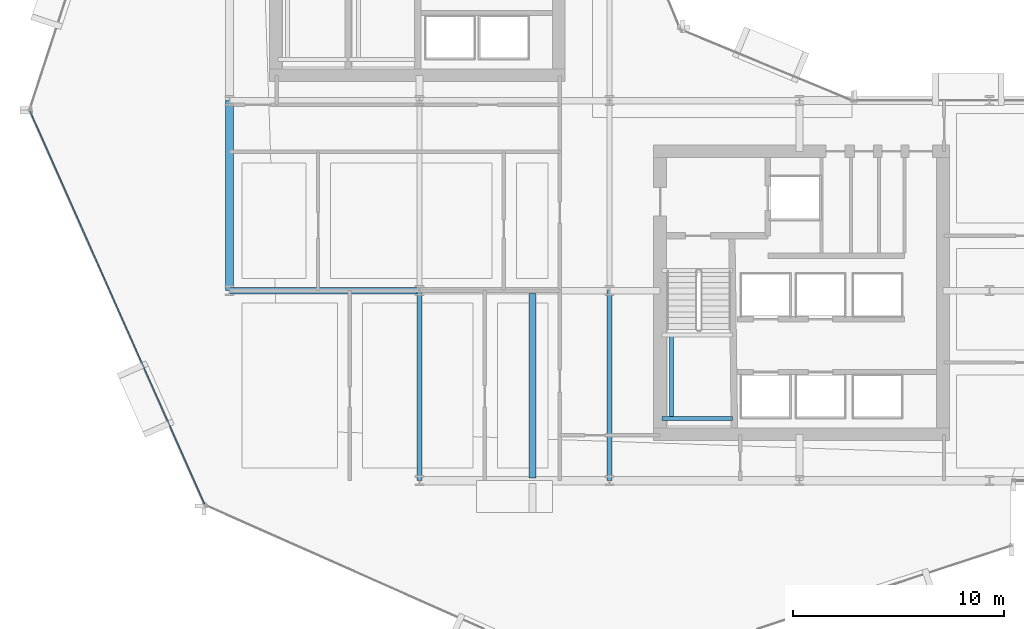
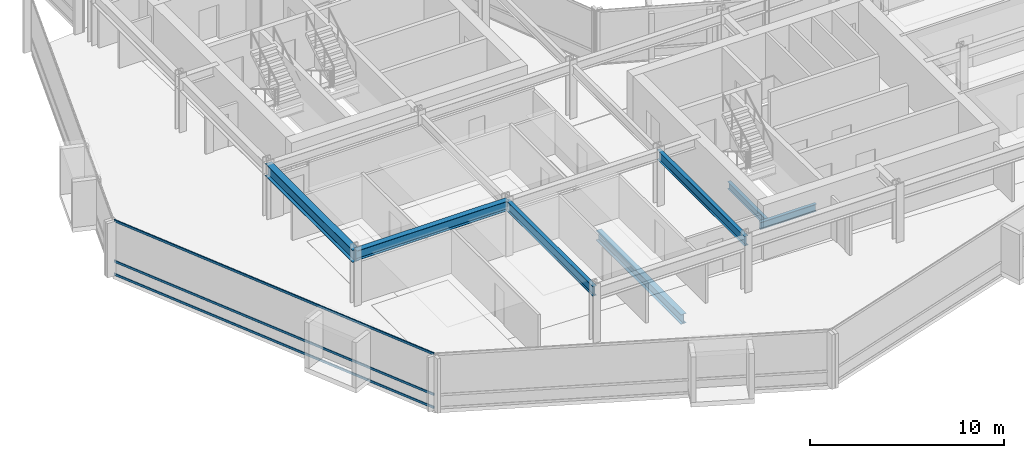
# One storey, part 5 of 34: 7 beams, 3 members, 1 element without a shape of its own.
"""IFC4 building model written with IfcOpenShell, lengths in metres."""

from ifc_helpers import new_model, si_unit, direction, frame, origin, origin_2d, place, context, subcontext, project, spatial, hollow_rectangle, i_section, extrude, material, layer, layer_set, material_profile, profile_set, type_object, element, aggregate, save


model = new_model("IFC4")

# Units and contexts
model_context = context("Model", 3, precision=1e-05, world=origin(), true_north=direction((0.0, 1.0)))
body_context = subcontext(model_context, "Body", "Model", "MODEL_VIEW")
ifc_project = project(units=[si_unit("LENGTHUNIT", "METRE"), si_unit("AREAUNIT", "SQUARE_METRE"), si_unit("VOLUMEUNIT", "CUBIC_METRE"), si_unit("PLANEANGLEUNIT", "RADIAN"), si_unit("MASSUNIT", "GRAM", prefix="KILO")], contexts=[model_context])

# Site, building, storey
site_placement = place(None, origin())
site = spatial("IfcSite", under=ifc_project, at=site_placement, CompositionType="ELEMENT")
building_placement = place(site_placement, origin())
building = spatial("IfcBuilding", under=site, at=building_placement, Name="Solvaryn Broadcast Tower", CompositionType="ELEMENT")
storey_placement = place(building_placement, frame((0.0, 0.0, 69.300048828125)))
storey = spatial("IfcBuildingStorey", under=building, at=storey_placement, Name="L16", CompositionType="ELEMENT", Elevation=69.300048828125)

# Beams
ifc_material_1 = material(Name="Steel ASTM A992 Grade 50", Category="steel")
ifc_material_profile_1 = material_profile(ifc_material_1, i_section(OverallWidth=0.323974609375, OverallDepth=0.611083984375, WebThickness=0.0126953125, FlangeThickness=0.01904296875, FilletRadius=0.014892578125, at=origin_2d()))
ifc_profile_set_1 = profile_set([ifc_material_profile_1], Name="Steel ASTM A992 Grade 50")
beam_type_1 = type_object("IfcBeamType", Name="BM-B1-W24X104", PredefinedType="BEAM", material=ifc_profile_set_1)
beam_1_placement = place(storey_placement, frame((23.35009765625, 17.875, -0.58544921875), z_axis=(0.0, -1.0, 0.0), x_axis=(1.0, 0.0, 0.0)))
element("IfcBeam", 1, at=beam_1_placement, inside=storey, type_object=beam_type_1, Name="L16 Bay-Box Back-Span Beam 1", PredefinedType="BEAM", context=body_context, shape_type="SweptSolid", body=[
    extrude(i_section(OverallWidth=0.323974609375, OverallDepth=0.611083984375, WebThickness=0.0126953125, FlangeThickness=0.01904296875, FilletRadius=0.014892578125, at=origin_2d()), origin(), (0.0, 0.0, 1.0), 8.75),
])
beam_2_placement = place(storey_placement, frame((9.0, 18.0, 3.114501953125), z_axis=(1.0, 0.0, 0.0), x_axis=(0.0, 1.0, 0.0)))
element("IfcBeam", 2, at=beam_2_placement, inside=storey, type_object=beam_type_1, Name="L16 Primary Beam X (9-18 @ Y=18)", PredefinedType="BEAM", context=body_context, shape_type="SweptSolid", body=[
    extrude(i_section(OverallWidth=0.323974609375, OverallDepth=0.611083984375, WebThickness=0.0126953125, FlangeThickness=0.01904296875, FilletRadius=0.014892578125, at=origin_2d()), origin(), (0.0, 0.0, 1.0), 9.0),
])
ifc_material_2 = material(Name="Steel ASTM A992 Grade 50", Category="steel")
ifc_material_profile_2 = material_profile(ifc_material_2, i_section(OverallWidth=0.22802734375, OverallDepth=0.60791015625, WebThickness=0.01123046875, FlangeThickness=0.017333984375, FilletRadius=0.014892578125, at=origin_2d()))
ifc_profile_set_2 = profile_set([ifc_material_profile_2], Name="Steel ASTM A992 Grade 50")
beam_type_2 = type_object("IfcBeamType", Name="BM-B2-W24X76", PredefinedType="BEAM", material=ifc_profile_set_2)
for number, where, z_axis, x_axis, name in (
    (3, (18.0, 9.0, 3.115966796875), (0.0, 1.0, 0.0), (-1.0, 0.0, 0.0), "L16 Primary Beam Y (9-18 @ X=18)"),
    (4, (27.0, 9.0, 3.115966796875), (0.0, 1.0, 0.0), (-1.0, 0.0, 0.0), "L16 Primary Beam Y (9-18 @ X=27)"),
):
    element("IfcBeam", number, at=place(storey_placement, frame(where, z_axis=z_axis, x_axis=x_axis)), inside=storey, type_object=beam_type_2, Name=name, PredefinedType="BEAM", context=body_context, shape_type="SweptSolid", body=[
        extrude(i_section(OverallWidth=0.22802734375, OverallDepth=0.60791015625, WebThickness=0.01123046875, FlangeThickness=0.017333984375, FilletRadius=0.014892578125, at=origin_2d()), origin(), (0.0, 0.0, 1.0), 9.0),
    ])
ifc_material_3 = material(Name="Steel ASTM A992 Grade 50", Category="steel")
ifc_material_profile_3 = material_profile(ifc_material_3, i_section(OverallWidth=0.18994140625, OverallDepth=0.45703125, WebThickness=0.009033203125, FlangeThickness=0.014404296875, FilletRadius=0.011962890625, at=origin_2d()))
ifc_profile_set_3 = profile_set([ifc_material_profile_3], Name="Steel ASTM A992 Grade 50")
beam_type_3 = type_object("IfcBeamType", Name="BM-B4-W18X50", PredefinedType="BEAM", material=ifc_profile_set_3)
beam_3_placement = place(storey_placement, frame((29.5, 11.949951171875, 1.42138671875), z_axis=(1.0, 0.0, 0.0), x_axis=(0.0, 1.0, 0.0)))
element("IfcBeam", 5, at=beam_3_placement, inside=storey, type_object=beam_type_3, Name="L16 ST3 Landing Support Beam 1A", PredefinedType="BEAM", context=body_context, shape_type="SweptSolid", body=[
    extrude(i_section(OverallWidth=0.18994140625, OverallDepth=0.45703125, WebThickness=0.009033203125, FlangeThickness=0.014404296875, FilletRadius=0.011962890625, at=origin_2d()), origin(), (0.0, 0.0, 1.0), 3.320068359375),
])
beam_4_placement = place(storey_placement, frame((29.949951171875, 11.949951171875, 1.42138671875), z_axis=(0.0, 1.0, 0.0), x_axis=(-1.0, 0.0, 0.0)))
element("IfcBeam", 6, at=beam_4_placement, inside=storey, type_object=beam_type_3, Name="L16 ST3 Landing Cross Stringer 1C", PredefinedType="BEAM", context=body_context, shape_type="SweptSolid", body=[
    extrude(i_section(OverallWidth=0.18994140625, OverallDepth=0.45703125, WebThickness=0.009033203125, FlangeThickness=0.014404296875, FilletRadius=0.011962890625, at=origin_2d()), origin(), (0.0, 0.0, 1.0), 3.9599609375),
])
ifc_material_4 = material(Name="Steel ASTM A992 Grade 50", Category="steel")
ifc_material_profile_4 = material_profile(ifc_material_4, i_section(OverallWidth=0.381103515625, OverallDepth=0.77294921875, WebThickness=0.0166015625, FlangeThickness=0.027099609375, FilletRadius=0.01806640625, at=origin_2d()))
ifc_profile_set_4 = profile_set([ifc_material_profile_4], Name="Steel ASTM A992 Grade 50")
beam_type_4 = type_object("IfcBeamType", Name="BM-SP1-W30X173", PredefinedType="USERDEFINED", material=ifc_profile_set_4)
beam_5_placement = place(storey_placement, frame((9.0, 18.0, 3.033447265625), z_axis=(0.0, 1.0, 0.0), x_axis=(-1.0, 0.0, 0.0)))
element("IfcBeam", 7, at=beam_5_placement, inside=storey, type_object=beam_type_4, Name="L16 Spandrel Beam Y (18-27 @ X=9)", ObjectType="SPANDREL", PredefinedType="USERDEFINED", context=body_context, shape_type="SweptSolid", body=[
    extrude(i_section(OverallWidth=0.381103515625, OverallDepth=0.77294921875, WebThickness=0.0166015625, FlangeThickness=0.027099609375, FilletRadius=0.01806640625, at=origin_2d()), origin(), (0.0, 0.0, 1.0), 9.0),
])

# Curtain wall, members
ifc_material_5 = material(Name="Aluminium and Terracotta Unitised Curtain Wall", Category="masonry")
ifc_layer = layer(ifc_material_5, 0.239990234375)
ifc_layer_set = layer_set([ifc_layer], Name="CW-SYS3-BAYBOX")
curtain_wall_type = type_object("IfcCurtainWallType", Name="CW-SYS3-BAYBOX", PredefinedType="NOTDEFINED", material=ifc_layer_set)
curtain_wall_placement = place(storey_placement, origin())
curtain_wall = element("IfcCurtainWall", 8, at=curtain_wall_placement, inside=storey, type_object=curtain_wall_type, Name="L16 Curtain Wall DR2", PredefinedType="NOTDEFINED")
ifc_material_6 = material(Name="Anodised Aluminium 6063-T6", Category="aluminium")
ifc_material_profile_5 = material_profile(ifc_material_6, hollow_rectangle(XDim=0.06494140625, YDim=0.14990234375, WallThickness=0.00390625, InnerFilletRadius=0.00390625, OuterFilletRadius=0.008056640625, at=origin_2d()))
ifc_profile_set_5 = profile_set([ifc_material_profile_5], Name="Anodised Aluminium 6063-T6")
member_type = type_object("IfcMemberType", Name="CW-TRN-150", PredefinedType="USERDEFINED", material=ifc_profile_set_5)
member_1_placement = place(storey_placement, frame((-0.439697265625, 26.505126953125, 0.030029296875), z_axis=(0.405905872269, -0.913914888191, 0.0), x_axis=(0.913914888191, 0.405905872269, 0.0)))
member_1 = element("IfcMember", 9, at=member_1_placement, type_object=member_type, Name="CWS3 transom 1.1", ObjectType="TRANSOM", PredefinedType="USERDEFINED", context=body_context, shape_type="SweptSolid", body=[
    extrude(hollow_rectangle(XDim=0.06494140625, YDim=0.14990234375, WallThickness=0.00390625, InnerFilletRadius=0.00390625, OuterFilletRadius=0.008056640625, at=origin_2d()), origin(), (0.0, 0.0, 1.0), 20.35546875),
])
member_2_placement = place(storey_placement, frame((-0.439697265625, 26.505126953125, 0.849853515625), z_axis=(0.405905872269, -0.913914888191, 0.0), x_axis=(0.913914888191, 0.405905872269, 0.0)))
member_2 = element("IfcMember", 10, at=member_2_placement, type_object=member_type, Name="CWS3 transom 1.2", ObjectType="TRANSOM", PredefinedType="USERDEFINED", context=body_context, shape_type="SweptSolid", body=[
    extrude(hollow_rectangle(XDim=0.06494140625, YDim=0.14990234375, WallThickness=0.00390625, InnerFilletRadius=0.00390625, OuterFilletRadius=0.008056640625, at=origin_2d()), origin(), (0.0, 0.0, 1.0), 20.35546875),
])
member_3_placement = place(storey_placement, frame((-0.439697265625, 26.505126953125, 3.389892578125), z_axis=(0.405905872269, -0.913914888191, 0.0), x_axis=(0.913914888191, 0.405905872269, 0.0)))
member_3 = element("IfcMember", 11, at=member_3_placement, type_object=member_type, Name="CWS3 transom 1.3", ObjectType="TRANSOM", PredefinedType="USERDEFINED", context=body_context, shape_type="SweptSolid", body=[
    extrude(hollow_rectangle(XDim=0.06494140625, YDim=0.14990234375, WallThickness=0.00390625, InnerFilletRadius=0.00390625, OuterFilletRadius=0.008056640625, at=origin_2d()), origin(), (0.0, 0.0, 1.0), 20.35546875),
])
aggregate(curtain_wall, [member_1, member_2, member_3])

save(model, "model.ifc")
